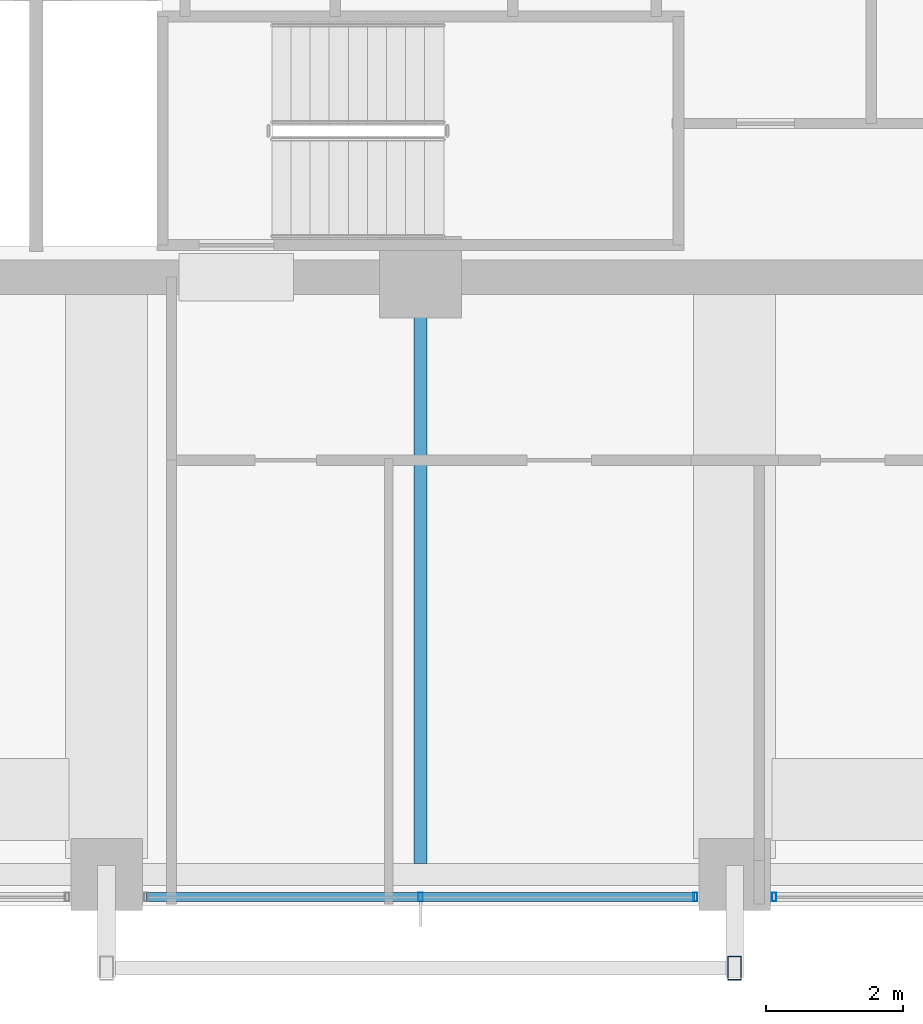
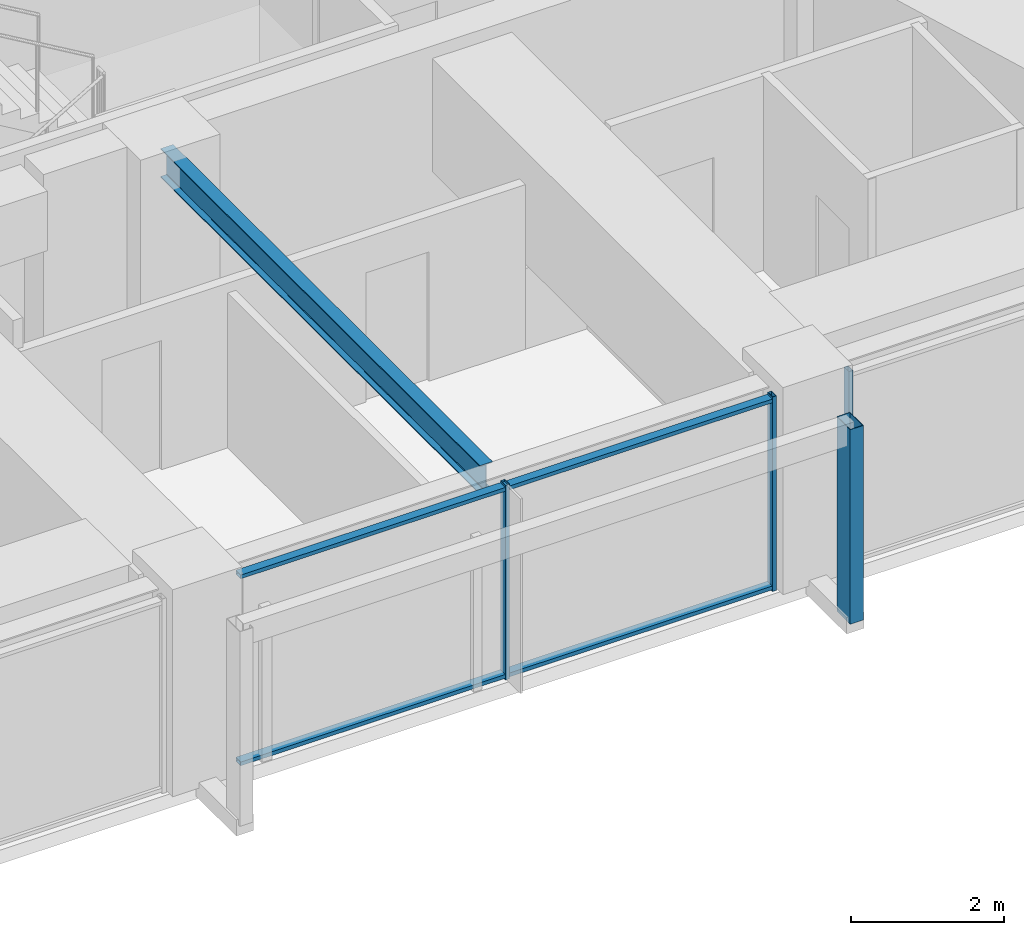
# One storey, part 5 of 28: 6 members, 1 beam, 2 elements without a shape of their own.
"""IFC4 building model written with IfcOpenShell, lengths in metres."""

import ifcopenshell
import ifcopenshell.guid

model = None  # the IFC model being written
_history = None  # IfcOwnerHistory: only IFC2X3 demands one
_inside = {}  # id of a spatial element -> (the spatial element, [elements in it])
_under = {}  # id of a project, library or spatial element -> (it, [spatial elements below it])
_declared = {}  # id of a project -> (the project, [libraries it declares])
_typed = {}  # id of a type object -> (the type object, [elements of that type])
_made_of = {}  # id of a material, layer set ... -> (it, [elements and type objects made of it])


def new_model(schema):
    """Start an empty IFC model of exactly this schema.

    Asked for "IFC4X3", IfcOpenShell would pick the latest addendum, in which some entities
    have other attributes; the version numbers below select the first issue.
    IFC2X3 requires an IfcOwnerHistory on every rooted entity: one is made here for all.
    """
    global model, _history
    if schema == "IFC4X3":
        model = ifcopenshell.file(schema_version=(4, 3, 0, 0))
    else:
        model = ifcopenshell.file(schema=schema)
    _inside.clear()
    _under.clear()
    _declared.clear()
    _typed.clear()
    _made_of.clear()
    _history = None
    if model.schema == "IFC2X3":
        org = make("IfcOrganization", Name="unknown")
        user = make(
            "IfcPersonAndOrganization",
            ThePerson=make("IfcPerson", FamilyName="unknown"),
            TheOrganization=org,
        )
        app = make(
            "IfcApplication",
            ApplicationDeveloper=org,
            Version="unknown",
            ApplicationFullName="unknown",
            ApplicationIdentifier="unknown",
        )
        _history = make(
            "IfcOwnerHistory",
            OwningUser=user,
            OwningApplication=app,
            ChangeAction="ADDED",
            CreationDate=0,
        )
    return model


def make(cls, **values):
    """One entity of the class cls with the attributes given. An attribute that is None is left unset."""
    return model.create_entity(
        cls, **{name: value for name, value in values.items() if value is not None}
    )


def rooted(cls, **values):
    """An entity with a GlobalId (a new one), such as an element, a storey or a relation."""
    return make(cls, GlobalId=ifcopenshell.guid.new(), OwnerHistory=_history, **values)


def si_unit(unit_type, name, prefix=None):
    """IfcSIUnit, for example si_unit("LENGTHUNIT", "METRE", prefix="MILLI")."""
    return make("IfcSIUnit", UnitType=unit_type, Prefix=prefix, Name=name)


def assignment(units):
    """IfcUnitAssignment: the units of a project."""
    return None if units is None else make("IfcUnitAssignment", Units=units)


def point(xyz):
    """IfcCartesianPoint."""
    return None if xyz is None else make("IfcCartesianPoint", Coordinates=xyz)


def direction(xyz):
    """IfcDirection."""
    return None if xyz is None else make("IfcDirection", DirectionRatios=xyz)


def frame(location, z_axis=None, x_axis=None):
    """IfcAxis2Placement3D, a coordinate frame: its origin and axes. An axis left out is left unset."""
    return make(
        "IfcAxis2Placement3D",
        Location=point(location),
        Axis=direction(z_axis),
        RefDirection=direction(x_axis),
    )


def frame_2d(location, x_axis=None):
    """IfcAxis2Placement2D, a coordinate frame in the plane: its origin and x axis."""
    return make(
        "IfcAxis2Placement2D", Location=point(location), RefDirection=direction(x_axis)
    )


def origin():
    """The frame at (0, 0, 0) with its axes left unset."""
    return frame((0.0, 0.0, 0.0))


def origin_2d():
    """The frame at (0, 0) in the plane with its x axis left unset."""
    return frame_2d((0.0, 0.0))


def place(relative_to, where):
    """IfcLocalPlacement: puts the frame where relative to a parent placement (None: the world)."""
    return make(
        "IfcLocalPlacement", PlacementRelTo=relative_to, RelativePlacement=where
    )


def context(
    kind, dimensions, precision=None, world=None, true_north=None, identifier=None
):
    """IfcGeometricRepresentationContext, for example the 3D "Model" context."""
    return make(
        "IfcGeometricRepresentationContext",
        ContextIdentifier=identifier,
        ContextType=kind,
        CoordinateSpaceDimension=dimensions,
        Precision=precision,
        WorldCoordinateSystem=world,
        TrueNorth=true_north,
    )


def subcontext(parent, identifier, kind, view, scale=None):
    """IfcGeometricRepresentationSubContext, for example "Body" below "Model"."""
    return make(
        "IfcGeometricRepresentationSubContext",
        ContextIdentifier=identifier,
        ContextType=kind,
        ParentContext=parent,
        TargetScale=scale,
        TargetView=view,
    )


def project(units=None, contexts=None):
    """IfcProject with its units and contexts."""
    return rooted(
        "IfcProject",
        Name="project",
        RepresentationContexts=contexts,
        UnitsInContext=assignment(units),
    )


def spatial(cls, under=None, at=None, **own):
    """A site, building, storey or space (cls), placed at a placement, below another one or the project."""
    s = rooted(cls, ObjectPlacement=at, **own)
    if under is not None:
        _under.setdefault(under.id(), (under, []))[1].append(s)
    return s


def profile(cls, at=None, kind="AREA", **sizes):
    """A parametric profile (cls). Its sizes go by their IFC names, for example OverallWidth=200.0."""
    return make(cls, ProfileType=kind, Position=at, **sizes)


def hollow_rectangle(**sizes):
    """IfcRectangleHollowProfileDef."""
    return profile("IfcRectangleHollowProfileDef", **sizes)


def i_section(**sizes):
    """IfcIShapeProfileDef."""
    return profile("IfcIShapeProfileDef", **sizes)


def extrude(swept, where, along, depth):
    """IfcExtrudedAreaSolid: the profile swept, set in the frame where, extruded along a direction by depth."""
    return make(
        "IfcExtrudedAreaSolid",
        SweptArea=swept,
        Position=where,
        ExtrudedDirection=direction(along),
        Depth=depth,
    )


def shape(context_of_items, identifier, shape_type, items):
    """IfcShapeRepresentation: the items that make up one representation, for example the "Body"."""
    return make(
        "IfcShapeRepresentation",
        ContextOfItems=context_of_items,
        RepresentationIdentifier=identifier,
        RepresentationType=shape_type,
        Items=items,
    )


def material(Name=None, Category=None):
    """IfcMaterial."""
    return make("IfcMaterial", Name=Name, Category=Category)


def material_profile(
    of_material, cross_section, Name=None, Category=None, Priority=None
):
    """IfcMaterialProfile: a cross section and its material."""
    return make(
        "IfcMaterialProfile",
        Name=Name,
        Material=of_material,
        Profile=cross_section,
        Priority=Priority,
        Category=Category,
    )


def profile_set(profiles, Name=None, composite=None):
    """IfcMaterialProfileSet."""
    return make(
        "IfcMaterialProfileSet",
        Name=Name,
        MaterialProfiles=profiles,
        CompositeProfile=composite,
    )


def made_of(thing, what):
    """Note that an element or type object is made of a material, layer set ...; save() writes the relation."""
    if what is not None:
        _made_of.setdefault(what.id(), (what, []))[1].append(thing)
    return thing


def type_object(cls, material=None, **own):
    """A type object (cls), such as IfcWallType, which elements share."""
    return made_of(rooted(cls, **own), material)


def element(
    cls,
    number,
    at=None,
    inside=None,
    cuts=None,
    type_object=None,
    material=None,
    context=None,
    identifier="Body",
    shape_type=None,
    held_by="IfcProductDefinitionShape",
    body=None,
    shapes=None,
    **own,
):
    """One element of the class cls, such as IfcWall. Its Tag is "e" and its number.

    at: its placement. inside: the storey or other place that contains it. cuts: it is an
    opening in that element (IfcRelVoidsElement). A single representation is given by context,
    identifier, shape_type and body (its items); several are given by shapes. held_by: the class
    of the entity that holds the representations. save() writes the other relations.
    """
    e = rooted(cls, Tag="e%d" % number, ObjectPlacement=at, **own)
    if body is not None:
        shapes = [shape(context, identifier, shape_type, body)]
    if shapes is not None:
        e.Representation = make(held_by, Representations=shapes)
    if inside is not None:
        _inside.setdefault(inside.id(), (inside, []))[1].append(e)
    if cuts is not None:
        rooted(
            "IfcRelVoidsElement", RelatingBuildingElement=cuts, RelatedOpeningElement=e
        )
    if type_object is not None:
        _typed.setdefault(type_object.id(), (type_object, []))[1].append(e)
    return made_of(e, material)


def aggregate(whole, parts):
    """IfcRelAggregates: a whole, such as a stair, and the parts it consists of."""
    return rooted("IfcRelAggregates", RelatingObject=whole, RelatedObjects=parts)


def save(model, path):
    """Write the relations noted so far, then the file.

    IfcRelAggregates (storeys below a building ...), IfcRelContainedInSpatialStructure (elements
    in a storey), IfcRelDefinesByType, IfcRelAssociatesMaterial and IfcRelDeclares: one each for
    every whole, place, type object, material and project.
    """
    for whole, parts in _under.values():
        aggregate(whole, parts)
    for where, things in _inside.values():
        rooted(
            "IfcRelContainedInSpatialStructure",
            RelatedElements=things,
            RelatingStructure=where,
        )
    for kind, things in _typed.values():
        rooted("IfcRelDefinesByType", RelatedObjects=things, RelatingType=kind)
    for what, things in _made_of.values():
        rooted("IfcRelAssociatesMaterial", RelatedObjects=things, RelatingMaterial=what)
    for by, libraries in _declared.values():
        rooted("IfcRelDeclares", RelatingContext=by, RelatedDefinitions=libraries)
    model.write(path)


model = new_model("IFC4")

# Units and contexts
model_context = context("Model", 3, precision=1e-05, world=origin(), true_north=direction((0.0, 1.0)))
body_context = subcontext(model_context, "Body", "Model", "MODEL_VIEW")
ifc_project = project(units=[si_unit("LENGTHUNIT", "METRE"), si_unit("AREAUNIT", "SQUARE_METRE"), si_unit("VOLUMEUNIT", "CUBIC_METRE"), si_unit("PLANEANGLEUNIT", "RADIAN"), si_unit("MASSUNIT", "GRAM", prefix="KILO")], contexts=[model_context])

# Site, building, storey
site_placement = place(None, origin())
site = spatial("IfcSite", under=ifc_project, at=site_placement, CompositionType="ELEMENT")
building_placement = place(site_placement, origin())
building = spatial("IfcBuilding", under=site, at=building_placement, Name="Kolvaren Belvedere", CompositionType="ELEMENT")
storey_placement = place(building_placement, frame((0.0, 0.0, 125.0)))
storey = spatial("IfcBuildingStorey", under=building, at=storey_placement, Name="L36", CompositionType="ELEMENT", Elevation=125.0)

# Beam
ifc_material_1 = material(Name="Structural steel ASTM A992 Grade 50", Category="steel")
ifc_material_profile_1 = material_profile(ifc_material_1, i_section(OverallWidth=0.19091796875, OverallDepth=0.4599609375, WebThickness=0.010009765625, FlangeThickness=0.01611328125, FilletRadius=0.014892578125, at=origin_2d()), Name="W18X55")
ifc_profile_set_1 = profile_set([ifc_material_profile_1], Name="Structural steel ASTM A992 Grade 50")
beam_type = type_object("IfcBeamType", Name="BM-JOIST-W18X55", PredefinedType="BEAM", material=ifc_profile_set_1)
beam_placement = place(storey_placement, frame((0.0, -10.14990234375, 2.8701171875), z_axis=(0.0, -1.0, 0.0), x_axis=(1.0, 0.0, 0.0)))
element("IfcBeam", 1, at=beam_placement, inside=storey, type_object=beam_type, Name="L36 South Centre Floor Beam", PredefinedType="BEAM", context=body_context, shape_type="SweptSolid", body=[
    extrude(i_section(OverallWidth=0.19091796875, OverallDepth=0.4599609375, WebThickness=0.010009765625, FlangeThickness=0.01611328125, FilletRadius=0.014892578125, at=origin_2d()), origin(), (0.0, 0.0, 1.0), 8.337646484375),
])

# Curtain wall, member
ifc_material_2 = material(Name="Anodised pale-metal aluminium AA 6063-T6", Category="aluminium")
curtain_wall_type = type_object("IfcCurtainWallType", Name="CW-Z3-WAIST", PredefinedType="NOTDEFINED", material=ifc_material_2)
curtain_wall_1_placement = place(storey_placement, origin())
curtain_wall_1 = element("IfcCurtainWall", 2, at=curtain_wall_1_placement, inside=storey, type_object=curtain_wall_type, Name="L36 Unitised Curtain Wall FCW-L36-S-B1", PredefinedType="NOTDEFINED")
ifc_material_3 = material(Name="Anodised pale-metal aluminium AA 6063-T6", Category="aluminium")
ifc_material_profile_2 = material_profile(ifc_material_3, hollow_rectangle(XDim=0.06494140625, YDim=0.1298828125, WallThickness=0.00390625, at=origin_2d()), Name="ALU-MUL-130X65")
ifc_profile_set_2 = profile_set([ifc_material_profile_2], Name="Anodised pale-metal aluminium AA 6063-T6")
member_type_1 = type_object("IfcMemberType", Name="CW-MUL-130", PredefinedType="MULLION", material=ifc_profile_set_2)
member_1_placement = place(storey_placement, frame((5.177490234375, -18.97998046875, 0.0), z_axis=(0.0, 0.0, 1.0), x_axis=(1.0, 0.0, 0.0)))
member_1 = element("IfcMember", 3, at=member_1_placement, type_object=member_type_1, Name="FCW-L36-S-B1 Unitised Mullion 3", PredefinedType="MULLION", context=body_context, shape_type="SweptSolid", body=[
    extrude(hollow_rectangle(XDim=0.06494140625, YDim=0.1298828125, WallThickness=0.00390625, at=origin_2d()), origin(), (0.0, 0.0, 1.0), 3.10009765625),
])
aggregate(curtain_wall_1, [member_1])

# Curtain wall, members
curtain_wall_2_placement = place(storey_placement, origin())
curtain_wall_2 = element("IfcCurtainWall", 4, at=curtain_wall_2_placement, inside=storey, type_object=curtain_wall_type, Name="L36 Unitised Curtain Wall FCW-L36-S-B2", PredefinedType="NOTDEFINED")
member_2_placement = place(storey_placement, frame((4.0224609375, -18.97998046875, 0.0), z_axis=(0.0, 0.0, 1.0), x_axis=(1.0, 0.0, 0.0)))
member_2 = element("IfcMember", 5, at=member_2_placement, type_object=member_type_1, Name="FCW-L36-S-B2 Unitised Mullion 1", PredefinedType="MULLION", context=body_context, shape_type="SweptSolid", body=[
    extrude(hollow_rectangle(XDim=0.06494140625, YDim=0.1298828125, WallThickness=0.00390625, at=origin_2d()), origin(), (0.0, 0.0, 1.0), 3.10009765625),
])
member_3_placement = place(storey_placement, frame((0.0, -18.97998046875, 0.0), z_axis=(0.0, 0.0, 1.0), x_axis=(1.0, 0.0, 0.0)))
member_3 = element("IfcMember", 6, at=member_3_placement, type_object=member_type_1, Name="FCW-L36-S-B2 Unitised Mullion 2", PredefinedType="MULLION", context=body_context, shape_type="SweptSolid", body=[
    extrude(hollow_rectangle(XDim=0.06494140625, YDim=0.1298828125, WallThickness=0.00390625, at=origin_2d()), origin(), (0.0, 0.0, 1.0), 3.10009765625),
])
ifc_material_4 = material(Name="Anodised pale-metal aluminium AA 6063-T6", Category="aluminium")
ifc_material_profile_3 = material_profile(ifc_material_4, hollow_rectangle(XDim=0.06005859375, YDim=0.1298828125, WallThickness=0.00390625, at=origin_2d()), Name="ALU-TRN-130X60")
ifc_profile_set_3 = profile_set([ifc_material_profile_3], Name="Anodised pale-metal aluminium AA 6063-T6")
member_type_2 = type_object("IfcMemberType", Name="CW-TRN-130", PredefinedType="USERDEFINED", material=ifc_profile_set_3)
member_4_placement = place(storey_placement, frame((4.0224609375, -18.97998046875, 0.06005859375), z_axis=(-1.0, 0.0, 0.0), x_axis=(0.0, 0.0, 1.0)))
member_4 = element("IfcMember", 7, at=member_4_placement, type_object=member_type_2, Name="FCW-L36-S-B2 Sill Transom", ObjectType="TRANSOM", PredefinedType="USERDEFINED", context=body_context, shape_type="SweptSolid", body=[
    extrude(hollow_rectangle(XDim=0.06005859375, YDim=0.1298828125, WallThickness=0.00390625, at=origin_2d()), origin(), (0.0, 0.0, 1.0), 8.044921875),
])
member_5_placement = place(storey_placement, frame((4.0224609375, -18.97998046875, 3.0400390625), z_axis=(-1.0, 0.0, 0.0), x_axis=(0.0, 0.0, 1.0)))
member_5 = element("IfcMember", 8, at=member_5_placement, type_object=member_type_2, Name="FCW-L36-S-B2 Head Transom", ObjectType="TRANSOM", PredefinedType="USERDEFINED", context=body_context, shape_type="SweptSolid", body=[
    extrude(hollow_rectangle(XDim=0.06005859375, YDim=0.1298828125, WallThickness=0.00390625, at=origin_2d()), origin(), (0.0, 0.0, 1.0), 8.044921875),
])
aggregate(curtain_wall_2, [member_2, member_3, member_4, member_5])

# Member
ifc_material_5 = material(Name="Anodised pale-metal aluminium AA 6063-T6", Category="aluminium")
ifc_material_profile_4 = material_profile(ifc_material_5, hollow_rectangle(XDim=0.199951171875, YDim=0.35009765625, WallThickness=0.007568359375, at=origin_2d()), Name="ALU-PF-350X200")
ifc_profile_set_4 = profile_set([ifc_material_profile_4], Name="Anodised pale-metal aluminium AA 6063-T6")
member_type_3 = type_object("IfcMemberType", Name="PF-FRAME-350", PredefinedType="USERDEFINED", material=ifc_profile_set_4)
member_6_placement = place(storey_placement, frame((4.60009765625, -20.02001953125, 0.0), z_axis=(0.0, 0.0, 1.0), x_axis=(1.0, 0.0, 0.0)))
element("IfcMember", 9, at=member_6_placement, inside=storey, type_object=member_type_3, Name="L36 Outboard Picture-Frame Vertical S1", ObjectType="PICTURE FRAME FIN", PredefinedType="USERDEFINED", context=body_context, shape_type="SweptSolid", body=[
    extrude(hollow_rectangle(XDim=0.199951171875, YDim=0.35009765625, WallThickness=0.007568359375, at=origin_2d()), origin(), (0.0, 0.0, 1.0), 3.10009765625),
])

save(model, "model.ifc")
